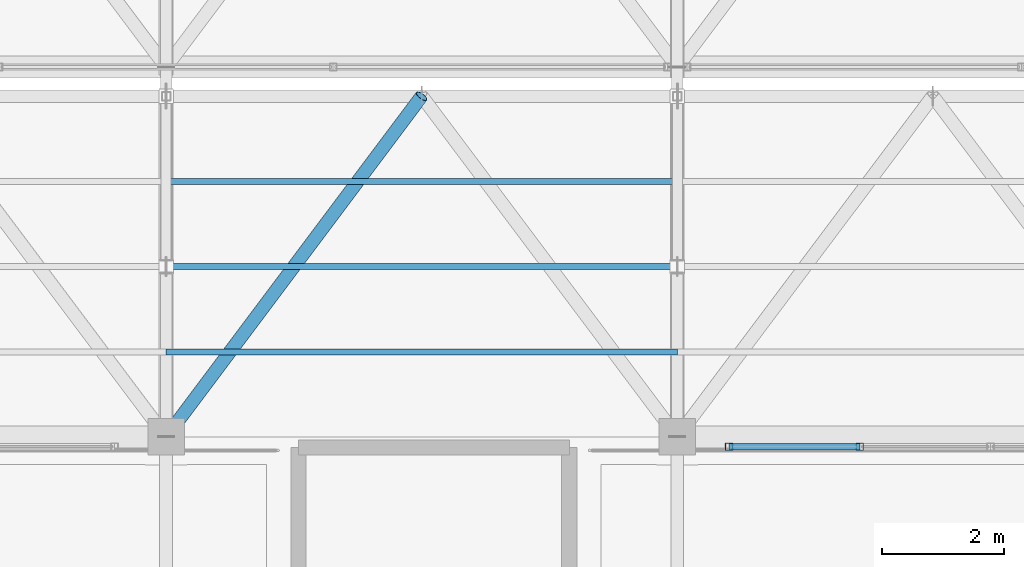
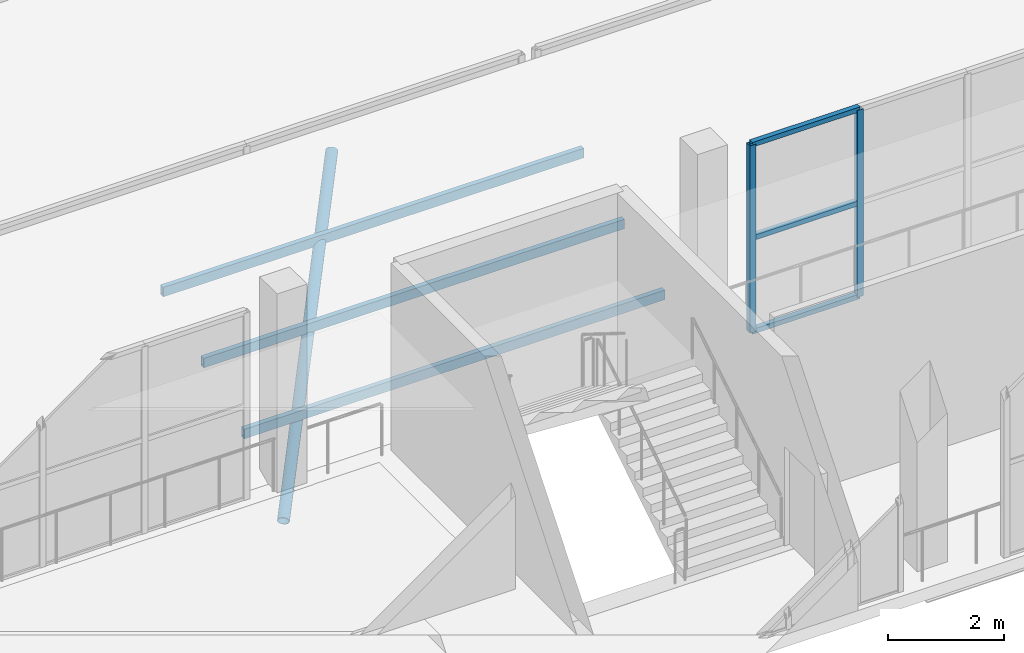
# One storey, part 81 of 217: 9 members, 1 element without a shape of its own.
"""IFC4 building model written with IfcOpenShell, lengths in metres."""

import ifcopenshell
import ifcopenshell.guid

model = None  # the IFC model being written
_history = None  # IfcOwnerHistory: only IFC2X3 demands one
_inside = {}  # id of a spatial element -> (the spatial element, [elements in it])
_under = {}  # id of a project, library or spatial element -> (it, [spatial elements below it])
_declared = {}  # id of a project -> (the project, [libraries it declares])
_typed = {}  # id of a type object -> (the type object, [elements of that type])
_made_of = {}  # id of a material, layer set ... -> (it, [elements and type objects made of it])


def new_model(schema):
    """Start an empty IFC model of exactly this schema.

    Asked for "IFC4X3", IfcOpenShell would pick the latest addendum, in which some entities
    have other attributes; the version numbers below select the first issue.
    IFC2X3 requires an IfcOwnerHistory on every rooted entity: one is made here for all.
    """
    global model, _history
    if schema == "IFC4X3":
        model = ifcopenshell.file(schema_version=(4, 3, 0, 0))
    else:
        model = ifcopenshell.file(schema=schema)
    _inside.clear()
    _under.clear()
    _declared.clear()
    _typed.clear()
    _made_of.clear()
    _history = None
    if model.schema == "IFC2X3":
        org = make("IfcOrganization", Name="unknown")
        user = make(
            "IfcPersonAndOrganization",
            ThePerson=make("IfcPerson", FamilyName="unknown"),
            TheOrganization=org,
        )
        app = make(
            "IfcApplication",
            ApplicationDeveloper=org,
            Version="unknown",
            ApplicationFullName="unknown",
            ApplicationIdentifier="unknown",
        )
        _history = make(
            "IfcOwnerHistory",
            OwningUser=user,
            OwningApplication=app,
            ChangeAction="ADDED",
            CreationDate=0,
        )
    return model


def make(cls, **values):
    """One entity of the class cls with the attributes given. An attribute that is None is left unset."""
    return model.create_entity(
        cls, **{name: value for name, value in values.items() if value is not None}
    )


def rooted(cls, **values):
    """An entity with a GlobalId (a new one), such as an element, a storey or a relation."""
    return make(cls, GlobalId=ifcopenshell.guid.new(), OwnerHistory=_history, **values)


def si_unit(unit_type, name, prefix=None):
    """IfcSIUnit, for example si_unit("LENGTHUNIT", "METRE", prefix="MILLI")."""
    return make("IfcSIUnit", UnitType=unit_type, Prefix=prefix, Name=name)


def assignment(units):
    """IfcUnitAssignment: the units of a project."""
    return None if units is None else make("IfcUnitAssignment", Units=units)


def point(xyz):
    """IfcCartesianPoint."""
    return None if xyz is None else make("IfcCartesianPoint", Coordinates=xyz)


def direction(xyz):
    """IfcDirection."""
    return None if xyz is None else make("IfcDirection", DirectionRatios=xyz)


def frame(location, z_axis=None, x_axis=None):
    """IfcAxis2Placement3D, a coordinate frame: its origin and axes. An axis left out is left unset."""
    return make(
        "IfcAxis2Placement3D",
        Location=point(location),
        Axis=direction(z_axis),
        RefDirection=direction(x_axis),
    )


def frame_2d(location, x_axis=None):
    """IfcAxis2Placement2D, a coordinate frame in the plane: its origin and x axis."""
    return make(
        "IfcAxis2Placement2D", Location=point(location), RefDirection=direction(x_axis)
    )


def origin():
    """The frame at (0, 0, 0) with its axes left unset."""
    return frame((0.0, 0.0, 0.0))


def origin_2d():
    """The frame at (0, 0) in the plane with its x axis left unset."""
    return frame_2d((0.0, 0.0))


def place(relative_to, where):
    """IfcLocalPlacement: puts the frame where relative to a parent placement (None: the world)."""
    return make(
        "IfcLocalPlacement", PlacementRelTo=relative_to, RelativePlacement=where
    )


def context(
    kind, dimensions, precision=None, world=None, true_north=None, identifier=None
):
    """IfcGeometricRepresentationContext, for example the 3D "Model" context."""
    return make(
        "IfcGeometricRepresentationContext",
        ContextIdentifier=identifier,
        ContextType=kind,
        CoordinateSpaceDimension=dimensions,
        Precision=precision,
        WorldCoordinateSystem=world,
        TrueNorth=true_north,
    )


def subcontext(parent, identifier, kind, view, scale=None):
    """IfcGeometricRepresentationSubContext, for example "Body" below "Model"."""
    return make(
        "IfcGeometricRepresentationSubContext",
        ContextIdentifier=identifier,
        ContextType=kind,
        ParentContext=parent,
        TargetScale=scale,
        TargetView=view,
    )


def project(units=None, contexts=None):
    """IfcProject with its units and contexts."""
    return rooted(
        "IfcProject",
        Name="project",
        RepresentationContexts=contexts,
        UnitsInContext=assignment(units),
    )


def spatial(cls, under=None, at=None, **own):
    """A site, building, storey or space (cls), placed at a placement, below another one or the project."""
    s = rooted(cls, ObjectPlacement=at, **own)
    if under is not None:
        _under.setdefault(under.id(), (under, []))[1].append(s)
    return s


def profile(cls, at=None, kind="AREA", **sizes):
    """A parametric profile (cls). Its sizes go by their IFC names, for example OverallWidth=200.0."""
    return make(cls, ProfileType=kind, Position=at, **sizes)


def hollow_rectangle(**sizes):
    """IfcRectangleHollowProfileDef."""
    return profile("IfcRectangleHollowProfileDef", **sizes)


def hollow_circle(**sizes):
    """IfcCircleHollowProfileDef."""
    return profile("IfcCircleHollowProfileDef", **sizes)


def extrude(swept, where, along, depth):
    """IfcExtrudedAreaSolid: the profile swept, set in the frame where, extruded along a direction by depth."""
    return make(
        "IfcExtrudedAreaSolid",
        SweptArea=swept,
        Position=where,
        ExtrudedDirection=direction(along),
        Depth=depth,
    )


def shape(context_of_items, identifier, shape_type, items):
    """IfcShapeRepresentation: the items that make up one representation, for example the "Body"."""
    return make(
        "IfcShapeRepresentation",
        ContextOfItems=context_of_items,
        RepresentationIdentifier=identifier,
        RepresentationType=shape_type,
        Items=items,
    )


def material(Name=None, Category=None):
    """IfcMaterial."""
    return make("IfcMaterial", Name=Name, Category=Category)


def material_profile(
    of_material, cross_section, Name=None, Category=None, Priority=None
):
    """IfcMaterialProfile: a cross section and its material."""
    return make(
        "IfcMaterialProfile",
        Name=Name,
        Material=of_material,
        Profile=cross_section,
        Priority=Priority,
        Category=Category,
    )


def profile_set(profiles, Name=None, composite=None):
    """IfcMaterialProfileSet."""
    return make(
        "IfcMaterialProfileSet",
        Name=Name,
        MaterialProfiles=profiles,
        CompositeProfile=composite,
    )


def made_of(thing, what):
    """Note that an element or type object is made of a material, layer set ...; save() writes the relation."""
    if what is not None:
        _made_of.setdefault(what.id(), (what, []))[1].append(thing)
    return thing


def type_object(cls, material=None, **own):
    """A type object (cls), such as IfcWallType, which elements share."""
    return made_of(rooted(cls, **own), material)


def element(
    cls,
    number,
    at=None,
    inside=None,
    cuts=None,
    type_object=None,
    material=None,
    context=None,
    identifier="Body",
    shape_type=None,
    held_by="IfcProductDefinitionShape",
    body=None,
    shapes=None,
    **own,
):
    """One element of the class cls, such as IfcWall. Its Tag is "e" and its number.

    at: its placement. inside: the storey or other place that contains it. cuts: it is an
    opening in that element (IfcRelVoidsElement). A single representation is given by context,
    identifier, shape_type and body (its items); several are given by shapes. held_by: the class
    of the entity that holds the representations. save() writes the other relations.
    """
    e = rooted(cls, Tag="e%d" % number, ObjectPlacement=at, **own)
    if body is not None:
        shapes = [shape(context, identifier, shape_type, body)]
    if shapes is not None:
        e.Representation = make(held_by, Representations=shapes)
    if inside is not None:
        _inside.setdefault(inside.id(), (inside, []))[1].append(e)
    if cuts is not None:
        rooted(
            "IfcRelVoidsElement", RelatingBuildingElement=cuts, RelatedOpeningElement=e
        )
    if type_object is not None:
        _typed.setdefault(type_object.id(), (type_object, []))[1].append(e)
    return made_of(e, material)


def aggregate(whole, parts):
    """IfcRelAggregates: a whole, such as a stair, and the parts it consists of."""
    return rooted("IfcRelAggregates", RelatingObject=whole, RelatedObjects=parts)


def save(model, path):
    """Write the relations noted so far, then the file.

    IfcRelAggregates (storeys below a building ...), IfcRelContainedInSpatialStructure (elements
    in a storey), IfcRelDefinesByType, IfcRelAssociatesMaterial and IfcRelDeclares: one each for
    every whole, place, type object, material and project.
    """
    for whole, parts in _under.values():
        aggregate(whole, parts)
    for where, things in _inside.values():
        rooted(
            "IfcRelContainedInSpatialStructure",
            RelatedElements=things,
            RelatingStructure=where,
        )
    for kind, things in _typed.values():
        rooted("IfcRelDefinesByType", RelatedObjects=things, RelatingType=kind)
    for what, things in _made_of.values():
        rooted("IfcRelAssociatesMaterial", RelatedObjects=things, RelatingMaterial=what)
    for by, libraries in _declared.values():
        rooted("IfcRelDeclares", RelatingContext=by, RelatedDefinitions=libraries)
    model.write(path)


model = new_model("IFC4")

# Units and contexts
model_context = context("Model", 3, precision=1e-05, world=origin(), true_north=direction((0.0, 1.0)))
body_context = subcontext(model_context, "Body", "Model", "MODEL_VIEW")
ifc_project = project(units=[si_unit("LENGTHUNIT", "METRE"), si_unit("AREAUNIT", "SQUARE_METRE"), si_unit("VOLUMEUNIT", "CUBIC_METRE"), si_unit("PLANEANGLEUNIT", "RADIAN"), si_unit("MASSUNIT", "GRAM", prefix="KILO")], contexts=[model_context])

# Site, building, storey
site_placement = place(None, origin())
site = spatial("IfcSite", under=ifc_project, at=site_placement, CompositionType="ELEMENT")
building_placement = place(site_placement, origin())
building = spatial("IfcBuilding", under=site, at=building_placement, Name="Zuvorla Pavilion Media Centre", CompositionType="ELEMENT")
storey_placement = place(building_placement, frame((0.0, 0.0, 9.60009765625)))
storey = spatial("IfcBuildingStorey", under=building, at=storey_placement, Name="L02", CompositionType="ELEMENT", Elevation=9.60009765625)

# Curtain wall, members
ifc_material_1 = material(Name="Unitised anodised aluminium and solar glass curtain wall", Category="aluminium")
curtain_wall_type = type_object("IfcCurtainWallType", Name="CW-SYS-13", PredefinedType="USERDEFINED", material=ifc_material_1)
curtain_wall_placement = place(storey_placement, origin())
curtain_wall = element("IfcCurtainWall", 1, at=curtain_wall_placement, inside=storey, type_object=curtain_wall_type, Name="L02 curtain wall CW13 18", ObjectType="CURTAIN WALL", PredefinedType="USERDEFINED")
ifc_material_2 = material(Name="Anodised aluminium 6063-T6", Category="aluminium")
ifc_material_profile_1 = material_profile(ifc_material_2, hollow_rectangle(XDim=0.1201171875, YDim=0.1201171875, WallThickness=0.0048828125, at=origin_2d()), Name="ALU MULL 120x120")
ifc_profile_set_1 = profile_set([ifc_material_profile_1], Name="Anodised aluminium 6063-T6")
member_type_1 = type_object("IfcMemberType", Name="CW-MULL-120", PredefinedType="MULLION", material=ifc_profile_set_1)
member_1_placement = place(storey_placement, frame((103.399169921875, 89.43994140625, 0.0), z_axis=(0.0, 0.0, 1.0), x_axis=(1.0, 0.0, 0.0)))
member_1 = element("IfcMember", 2, at=member_1_placement, type_object=member_type_1, Name="CW13 mullion 3", PredefinedType="MULLION", context=body_context, shape_type="SweptSolid", body=[
    extrude(hollow_rectangle(XDim=0.1201171875, YDim=0.1201171875, WallThickness=0.0048828125, at=origin_2d()), origin(), (0.0, 0.0, 1.0), 3.949951171875),
])
member_2_placement = place(storey_placement, frame((101.250244140625, 89.43994140625, 0.0), z_axis=(0.0, 0.0, 1.0), x_axis=(1.0, 0.0, 0.0)))
member_2 = element("IfcMember", 3, at=member_2_placement, type_object=member_type_1, Name="CW13 mullion 4", PredefinedType="MULLION", context=body_context, shape_type="SweptSolid", body=[
    extrude(hollow_rectangle(XDim=0.1201171875, YDim=0.1201171875, WallThickness=0.0048828125, at=origin_2d()), origin(), (0.0, 0.0, 1.0), 3.949951171875),
])
ifc_material_profile_2 = material_profile(ifc_material_2, hollow_rectangle(XDim=0.10009765625, YDim=0.10009765625, WallThickness=0.00439453125, at=origin_2d()), Name="ALU TRAN 100x100")
ifc_profile_set_2 = profile_set([ifc_material_profile_2], Name="Anodised aluminium 6063-T6")
member_type_2 = type_object("IfcMemberType", Name="CW-TRAN-100", PredefinedType="USERDEFINED", material=ifc_profile_set_2)
member_3_placement = place(storey_placement, frame((103.399169921875, 89.43994140625, 0.0), z_axis=(-1.0, 0.0, 0.0), x_axis=(0.0, -1.0, 0.0)))
member_3 = element("IfcMember", 4, at=member_3_placement, type_object=member_type_2, Name="CW13 transom 3.1", ObjectType="TRANSOM", PredefinedType="USERDEFINED", context=body_context, shape_type="SweptSolid", body=[
    extrude(hollow_rectangle(XDim=0.10009765625, YDim=0.10009765625, WallThickness=0.00439453125, at=origin_2d()), origin(), (0.0, 0.0, 1.0), 2.14892578125),
])
member_4_placement = place(storey_placement, frame((103.399169921875, 89.43994140625, 1.974853515625), z_axis=(-1.0, 0.0, 0.0), x_axis=(0.0, -1.0, 0.0)))
member_4 = element("IfcMember", 5, at=member_4_placement, type_object=member_type_2, Name="CW13 transom 3.2", ObjectType="TRANSOM", PredefinedType="USERDEFINED", context=body_context, shape_type="SweptSolid", body=[
    extrude(hollow_rectangle(XDim=0.10009765625, YDim=0.10009765625, WallThickness=0.00439453125, at=origin_2d()), origin(), (0.0, 0.0, 1.0), 2.14892578125),
])
member_5_placement = place(storey_placement, frame((103.399169921875, 89.43994140625, 3.949951171875), z_axis=(-1.0, 0.0, 0.0), x_axis=(0.0, -1.0, 0.0)))
member_5 = element("IfcMember", 6, at=member_5_placement, type_object=member_type_2, Name="CW13 transom 3.3", ObjectType="TRANSOM", PredefinedType="USERDEFINED", context=body_context, shape_type="SweptSolid", body=[
    extrude(hollow_rectangle(XDim=0.10009765625, YDim=0.10009765625, WallThickness=0.00439453125, at=origin_2d()), origin(), (0.0, 0.0, 1.0), 2.14892578125),
])
aggregate(curtain_wall, [member_1, member_2, member_3, member_4, member_5])

# Members
ifc_material_3 = material(Name="Steel S355", Category="steel")
ifc_material_profile_3 = material_profile(ifc_material_3, hollow_circle(Radius=0.109619140625, WallThickness=0.010009765625, at=origin_2d()), Name="CHS 219.1x10")
ifc_profile_set_3 = profile_set([ifc_material_profile_3], Name="Steel S355")
member_type_3 = type_object("IfcMemberType", Name="MEM-BRC-CHS219", PredefinedType="BRACE", material=ifc_profile_set_3)
member_6_placement = place(storey_placement, frame((92.0, 89.60009765625, -0.880126953125), z_axis=(0.552524670006, 0.736688854033, 0.389879495972), x_axis=(-0.799995814625, 0.600005580459, 0.0)))
element("IfcMember", 7, at=member_6_placement, inside=storey, type_object=member_type_3, Name="L02 diagonal brace TB02 97", PredefinedType="BRACE", context=body_context, shape_type="SweptSolid", body=[
    extrude(hollow_circle(Radius=0.109619140625, WallThickness=0.010009765625, at=origin_2d()), origin(), (0.0, 0.0, 1.0), 7.601318359375),
])
ifc_material_profile_4 = material_profile(ifc_material_3, hollow_rectangle(XDim=0.10009765625, YDim=0.199951171875, WallThickness=0.008056640625, at=origin_2d()), Name="RHS 200x100x8")
ifc_profile_set_4 = profile_set([ifc_material_profile_4], Name="Steel S355")
member_type_4 = type_object("IfcMemberType", Name="MEM-PUR-RHS200", PredefinedType="PURLIN", material=ifc_profile_set_4)
for number, where, z_axis, x_axis, name in (
    (8, (92.0, 91.0, 0.133544921875), (1.0, 0.0, 0.0), (0.0, 1.0, 0.0), "L02 purlin PR01 99"),
    (9, (92.0, 92.39990234375, 0.783447265625), (1.0, 0.0, 0.0), (0.0, 1.0, 0.0), "L02 purlin PR01 100"),
    (10, (92.0, 93.800048828125, 1.43359375), (1.0, 0.0, 0.0), (0.0, 1.0, 0.0), "L02 purlin PR01 101"),
):
    element("IfcMember", number, at=place(storey_placement, frame(where, z_axis=z_axis, x_axis=x_axis)), inside=storey, type_object=member_type_4, Name=name, PredefinedType="PURLIN", context=body_context, shape_type="SweptSolid", body=[
        extrude(hollow_rectangle(XDim=0.10009765625, YDim=0.199951171875, WallThickness=0.008056640625, at=origin_2d()), origin(), (0.0, 0.0, 1.0), 8.39990234375),
    ])

save(model, "model.ifc")
